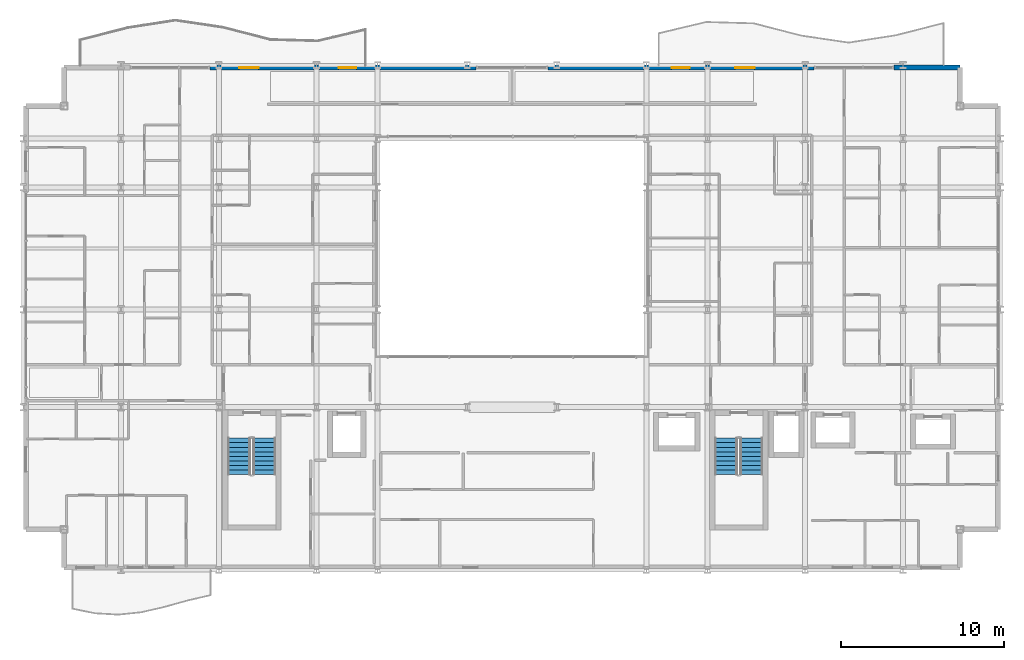
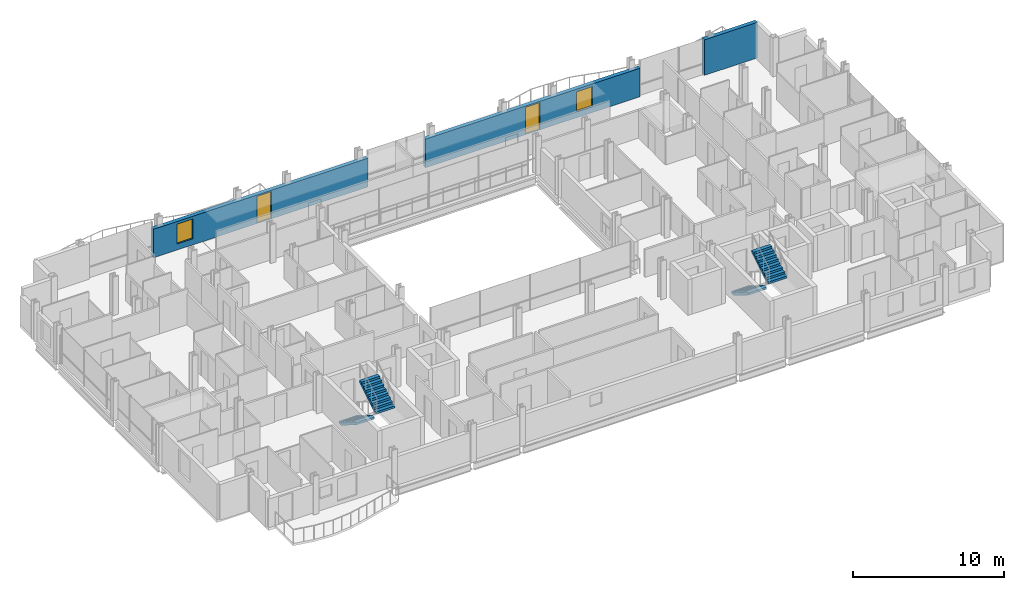
# One storey, part 37 of 41: 4 stair flights, 3 walls, 2 doors, 2 windows, 4 openings, 2 elements without a shape of their own.
"""IFC4 building model written with IfcOpenShell, lengths in metres."""

import ifcopenshell
import ifcopenshell.guid

model = None  # the IFC model being written
_history = None  # IfcOwnerHistory: only IFC2X3 demands one
_inside = {}  # id of a spatial element -> (the spatial element, [elements in it])
_under = {}  # id of a project, library or spatial element -> (it, [spatial elements below it])
_declared = {}  # id of a project -> (the project, [libraries it declares])
_typed = {}  # id of a type object -> (the type object, [elements of that type])
_made_of = {}  # id of a material, layer set ... -> (it, [elements and type objects made of it])


def new_model(schema):
    """Start an empty IFC model of exactly this schema.

    Asked for "IFC4X3", IfcOpenShell would pick the latest addendum, in which some entities
    have other attributes; the version numbers below select the first issue.
    IFC2X3 requires an IfcOwnerHistory on every rooted entity: one is made here for all.
    """
    global model, _history
    if schema == "IFC4X3":
        model = ifcopenshell.file(schema_version=(4, 3, 0, 0))
    else:
        model = ifcopenshell.file(schema=schema)
    _inside.clear()
    _under.clear()
    _declared.clear()
    _typed.clear()
    _made_of.clear()
    _history = None
    if model.schema == "IFC2X3":
        org = make("IfcOrganization", Name="unknown")
        user = make(
            "IfcPersonAndOrganization",
            ThePerson=make("IfcPerson", FamilyName="unknown"),
            TheOrganization=org,
        )
        app = make(
            "IfcApplication",
            ApplicationDeveloper=org,
            Version="unknown",
            ApplicationFullName="unknown",
            ApplicationIdentifier="unknown",
        )
        _history = make(
            "IfcOwnerHistory",
            OwningUser=user,
            OwningApplication=app,
            ChangeAction="ADDED",
            CreationDate=0,
        )
    return model


def make(cls, **values):
    """One entity of the class cls with the attributes given. An attribute that is None is left unset."""
    return model.create_entity(
        cls, **{name: value for name, value in values.items() if value is not None}
    )


def rooted(cls, **values):
    """An entity with a GlobalId (a new one), such as an element, a storey or a relation."""
    return make(cls, GlobalId=ifcopenshell.guid.new(), OwnerHistory=_history, **values)


def si_unit(unit_type, name, prefix=None):
    """IfcSIUnit, for example si_unit("LENGTHUNIT", "METRE", prefix="MILLI")."""
    return make("IfcSIUnit", UnitType=unit_type, Prefix=prefix, Name=name)


def assignment(units):
    """IfcUnitAssignment: the units of a project."""
    return None if units is None else make("IfcUnitAssignment", Units=units)


def point(xyz):
    """IfcCartesianPoint."""
    return None if xyz is None else make("IfcCartesianPoint", Coordinates=xyz)


def direction(xyz):
    """IfcDirection."""
    return None if xyz is None else make("IfcDirection", DirectionRatios=xyz)


def frame(location, z_axis=None, x_axis=None):
    """IfcAxis2Placement3D, a coordinate frame: its origin and axes. An axis left out is left unset."""
    return make(
        "IfcAxis2Placement3D",
        Location=point(location),
        Axis=direction(z_axis),
        RefDirection=direction(x_axis),
    )


def frame_2d(location, x_axis=None):
    """IfcAxis2Placement2D, a coordinate frame in the plane: its origin and x axis."""
    return make(
        "IfcAxis2Placement2D", Location=point(location), RefDirection=direction(x_axis)
    )


def origin():
    """The frame at (0, 0, 0) with its axes left unset."""
    return frame((0.0, 0.0, 0.0))


def place(relative_to, where):
    """IfcLocalPlacement: puts the frame where relative to a parent placement (None: the world)."""
    return make(
        "IfcLocalPlacement", PlacementRelTo=relative_to, RelativePlacement=where
    )


def context(
    kind, dimensions, precision=None, world=None, true_north=None, identifier=None
):
    """IfcGeometricRepresentationContext, for example the 3D "Model" context."""
    return make(
        "IfcGeometricRepresentationContext",
        ContextIdentifier=identifier,
        ContextType=kind,
        CoordinateSpaceDimension=dimensions,
        Precision=precision,
        WorldCoordinateSystem=world,
        TrueNorth=true_north,
    )


def subcontext(parent, identifier, kind, view, scale=None):
    """IfcGeometricRepresentationSubContext, for example "Body" below "Model"."""
    return make(
        "IfcGeometricRepresentationSubContext",
        ContextIdentifier=identifier,
        ContextType=kind,
        ParentContext=parent,
        TargetScale=scale,
        TargetView=view,
    )


def project(units=None, contexts=None):
    """IfcProject with its units and contexts."""
    return rooted(
        "IfcProject",
        Name="project",
        RepresentationContexts=contexts,
        UnitsInContext=assignment(units),
    )


def spatial(cls, under=None, at=None, **own):
    """A site, building, storey or space (cls), placed at a placement, below another one or the project."""
    s = rooted(cls, ObjectPlacement=at, **own)
    if under is not None:
        _under.setdefault(under.id(), (under, []))[1].append(s)
    return s


def polyline(points):
    """IfcPolyline through the points."""
    return make("IfcPolyline", Points=[point(p) for p in points])


def profile(cls, at=None, kind="AREA", **sizes):
    """A parametric profile (cls). Its sizes go by their IFC names, for example OverallWidth=200.0."""
    return make(cls, ProfileType=kind, Position=at, **sizes)


def rectangle(**sizes):
    """IfcRectangleProfileDef."""
    return profile("IfcRectangleProfileDef", **sizes)


def outline(outer, holes=None, kind="AREA"):
    """IfcArbitraryClosedProfileDef: a profile drawn as a closed curve; with holes, ...WithVoids."""
    if holes is None:
        return make("IfcArbitraryClosedProfileDef", ProfileType=kind, OuterCurve=outer)
    return make(
        "IfcArbitraryProfileDefWithVoids",
        ProfileType=kind,
        OuterCurve=outer,
        InnerCurves=holes,
    )


def extrude(swept, where, along, depth):
    """IfcExtrudedAreaSolid: the profile swept, set in the frame where, extruded along a direction by depth."""
    return make(
        "IfcExtrudedAreaSolid",
        SweptArea=swept,
        Position=where,
        ExtrudedDirection=direction(along),
        Depth=depth,
    )


def shape(context_of_items, identifier, shape_type, items):
    """IfcShapeRepresentation: the items that make up one representation, for example the "Body"."""
    return make(
        "IfcShapeRepresentation",
        ContextOfItems=context_of_items,
        RepresentationIdentifier=identifier,
        RepresentationType=shape_type,
        Items=items,
    )


def material(Name=None, Category=None):
    """IfcMaterial."""
    return make("IfcMaterial", Name=Name, Category=Category)


def layer(
    of_material, thickness, ventilated=None, Name=None, Category=None, Priority=None
):
    """IfcMaterialLayer: one layer of a wall or slab, of a material (None: an air gap)."""
    return make(
        "IfcMaterialLayer",
        Material=of_material,
        LayerThickness=thickness,
        IsVentilated=ventilated,
        Name=Name,
        Category=Category,
        Priority=Priority,
    )


def layer_set(layers, Name=None):
    """IfcMaterialLayerSet."""
    return make("IfcMaterialLayerSet", MaterialLayers=layers, LayerSetName=Name)


def made_of(thing, what):
    """Note that an element or type object is made of a material, layer set ...; save() writes the relation."""
    if what is not None:
        _made_of.setdefault(what.id(), (what, []))[1].append(thing)
    return thing


def type_object(cls, material=None, **own):
    """A type object (cls), such as IfcWallType, which elements share."""
    return made_of(rooted(cls, **own), material)


def element(
    cls,
    number,
    at=None,
    inside=None,
    cuts=None,
    type_object=None,
    material=None,
    context=None,
    identifier="Body",
    shape_type=None,
    held_by="IfcProductDefinitionShape",
    body=None,
    shapes=None,
    **own,
):
    """One element of the class cls, such as IfcWall. Its Tag is "e" and its number.

    at: its placement. inside: the storey or other place that contains it. cuts: it is an
    opening in that element (IfcRelVoidsElement). A single representation is given by context,
    identifier, shape_type and body (its items); several are given by shapes. held_by: the class
    of the entity that holds the representations. save() writes the other relations.
    """
    e = rooted(cls, Tag="e%d" % number, ObjectPlacement=at, **own)
    if body is not None:
        shapes = [shape(context, identifier, shape_type, body)]
    if shapes is not None:
        e.Representation = make(held_by, Representations=shapes)
    if inside is not None:
        _inside.setdefault(inside.id(), (inside, []))[1].append(e)
    if cuts is not None:
        rooted(
            "IfcRelVoidsElement", RelatingBuildingElement=cuts, RelatedOpeningElement=e
        )
    if type_object is not None:
        _typed.setdefault(type_object.id(), (type_object, []))[1].append(e)
    return made_of(e, material)


def fill(opening, filler):
    """IfcRelFillsElement: the door or window that sits in an opening."""
    return rooted(
        "IfcRelFillsElement",
        RelatingOpeningElement=opening,
        RelatedBuildingElement=filler,
    )


def aggregate(whole, parts):
    """IfcRelAggregates: a whole, such as a stair, and the parts it consists of."""
    return rooted("IfcRelAggregates", RelatingObject=whole, RelatedObjects=parts)


def save(model, path):
    """Write the relations noted so far, then the file.

    IfcRelAggregates (storeys below a building ...), IfcRelContainedInSpatialStructure (elements
    in a storey), IfcRelDefinesByType, IfcRelAssociatesMaterial and IfcRelDeclares: one each for
    every whole, place, type object, material and project.
    """
    for whole, parts in _under.values():
        aggregate(whole, parts)
    for where, things in _inside.values():
        rooted(
            "IfcRelContainedInSpatialStructure",
            RelatedElements=things,
            RelatingStructure=where,
        )
    for kind, things in _typed.values():
        rooted("IfcRelDefinesByType", RelatedObjects=things, RelatingType=kind)
    for what, things in _made_of.values():
        rooted("IfcRelAssociatesMaterial", RelatedObjects=things, RelatingMaterial=what)
    for by, libraries in _declared.values():
        rooted("IfcRelDeclares", RelatingContext=by, RelatedDefinitions=libraries)
    model.write(path)


model = new_model("IFC4")

# Units and contexts
model_context = context("Model", 3, precision=1e-05, world=origin(), true_north=direction((0.0, 1.0)))
body_context = subcontext(model_context, "Body", "Model", "MODEL_VIEW")
ifc_project = project(units=[si_unit("LENGTHUNIT", "METRE"), si_unit("AREAUNIT", "SQUARE_METRE"), si_unit("VOLUMEUNIT", "CUBIC_METRE"), si_unit("PLANEANGLEUNIT", "RADIAN"), si_unit("MASSUNIT", "GRAM", prefix="KILO")], contexts=[model_context])

# Site, building, storey
site_placement = place(None, origin())
site = spatial("IfcSite", under=ifc_project, at=site_placement, CompositionType="ELEMENT")
building_placement = place(site_placement, origin())
building = spatial("IfcBuilding", under=site, at=building_placement, Name="Brevholm Reach", CompositionType="ELEMENT")
storey_placement = place(building_placement, frame((0.0, 0.0, 43.5)))
storey = spatial("IfcBuildingStorey", under=building, at=storey_placement, Name="L11", CompositionType="ELEMENT", Elevation=43.5)

# Wall
ifc_material_1 = material(Name="Concrete C40/50", Category="concrete")
ifc_layer_1 = layer(ifc_material_1, 0.300048828125)
ifc_layer_set_1 = layer_set([ifc_layer_1], Name="Concrete C40/50")
wall_type = type_object("IfcWallType", Name="WAL-EXT-300", PredefinedType="STANDARD", material=ifc_layer_set_1)
wall_1_placement = place(storey_placement, frame((53.449951171875, 30.85009765625, 0.0), z_axis=(0.0, 0.0, 1.0), x_axis=(1.0, 0.0, 0.0)))
element("IfcWall", 1, at=wall_1_placement, inside=storey, type_object=wall_type, Name="L11 Facade Wall WAL-L11-NP-E0", PredefinedType="STANDARD", context=body_context, shape_type="SweptSolid", body=[
    extrude(rectangle(XDim=4.050048828125, YDim=0.300048828125, at=frame_2d((2.02490234375, 0.0))), origin(), (0.0, 0.0, 1.0), 2.8701171875),
])

# Wall, openings, door, window
wall_2_placement = place(storey_placement, frame((11.449951171875, 30.85009765625, 0.0), z_axis=(0.0, 0.0, 1.0), x_axis=(1.0, 0.0, 0.0)))
wall_2 = element("IfcWall", 2, at=wall_2_placement, inside=storey, type_object=wall_type, Name="L11 Facade Wall WAL-L11-NP-WL", PredefinedType="STANDARD", context=body_context, shape_type="SweptSolid", body=[
    extrude(rectangle(XDim=16.35009765625, YDim=0.300048828125, at=frame_2d((8.175048828125, 0.0))), origin(), (0.0, 0.0, 1.0), 2.305419921875),
])
opening_1_placement = place(wall_2_placement, frame((7.89794921875, 0.0, 0.0)))
opening_1 = element("IfcOpeningElement", 3, at=opening_1_placement, cuts=wall_2, Name="Opening BD-01", PredefinedType="OPENING", context=body_context, shape_type="SweptSolid", body=[
    extrude(rectangle(XDim=1.10009765625, YDim=2.199951171875, at=frame_2d((0.550048828125, 1.10009765625))), frame((0.0, 0.159912109375, 0.0), z_axis=(0.0, -1.0, 0.0), x_axis=(1.0, 0.0, 0.0)), (0.0, 0.0, 1.0), 0.320068359375),
])
opening_2_placement = place(wall_2_placement, frame((1.800048828125, 0.0, 0.486083984375)))
opening_2 = element("IfcOpeningElement", 4, at=opening_2_placement, cuts=wall_2, Name="Opening WN-08", PredefinedType="OPENING", context=body_context, shape_type="SweptSolid", body=[
    extrude(rectangle(XDim=1.199951171875, YDim=1.60009765625, at=frame_2d((0.60009765625, 0.800048828125))), frame((0.0, 0.159912109375, 0.0), z_axis=(0.0, -1.0, 0.0), x_axis=(1.0, 0.0, 0.0)), (0.0, 0.0, 1.0), 0.320068359375),
])
ifc_material_2 = material(Name="Dark Anodised Aluminium and Triple-Glazed Glass", Category="aluminium")
door_type = type_object("IfcDoorType", Name="DOR-BALC-1100", OperationType="NOTDEFINED", PredefinedType="DOOR", material=ifc_material_2)
door_1_placement = place(opening_1_placement, origin())
door_1 = element("IfcDoor", 5, at=door_1_placement, inside=storey, type_object=door_type, Name="L11 Exterior Door DOR-L11-BL-NW", OperationType="SINGLE_SWING_LEFT", OverallHeight=2.199951171875, OverallWidth=1.10009765625, PredefinedType="DOOR", context=body_context, shape_type="SweptSolid", body=[
    extrude(rectangle(XDim=1.10009765625, YDim=2.199951171875, at=frame_2d((0.550048828125, 1.10009765625))), frame((0.0, 0.02490234375, 0.0), z_axis=(0.0, -1.0, 0.0), x_axis=(1.0, 0.0, 0.0)), (0.0, 0.0, 1.0), 0.050048828125),
])
fill(opening_1, door_1)
ifc_material_3 = material(Name="Dark Anodised Aluminium and Solar-Control IGU Glass", Category="aluminium")
window_type = type_object("IfcWindowType", Name="WIN-RES-1200", PartitioningType="SINGLE_PANEL", PredefinedType="WINDOW", material=ifc_material_3)
window_1_placement = place(opening_2_placement, origin())
window_1 = element("IfcWindow", 6, at=window_1_placement, inside=storey, type_object=window_type, Name="L11 Window WIN-L11-NP-WL1", OverallHeight=1.60009765625, OverallWidth=1.199951171875, PartitioningType="SINGLE_PANEL", PredefinedType="WINDOW", context=body_context, shape_type="SweptSolid", body=[
    extrude(rectangle(XDim=1.199951171875, YDim=1.60009765625, at=frame_2d((0.60009765625, 0.800048828125))), frame((0.0, 0.030029296875, 0.0), z_axis=(0.0, -1.0, 0.0), x_axis=(1.0, 0.0, 0.0)), (0.0, 0.0, 1.0), 0.06005859375),
])
fill(opening_2, window_1)

wall_3_placement = place(storey_placement, frame((32.199951171875, 30.85009765625, 0.0), z_axis=(0.0, 0.0, 1.0), x_axis=(1.0, 0.0, 0.0)))
wall_3 = element("IfcWall", 7, at=wall_3_placement, inside=storey, type_object=wall_type, Name="L11 Facade Wall WAL-L11-NP-ER", PredefinedType="STANDARD", context=body_context, shape_type="SweptSolid", body=[
    extrude(rectangle(XDim=16.35009765625, YDim=0.300048828125, at=frame_2d((8.175048828125, 0.0))), origin(), (0.0, 0.0, 1.0), 2.305419921875),
])
opening_3_placement = place(wall_3_placement, frame((7.60009765625, 0.0, 0.0)))
opening_3 = element("IfcOpeningElement", 8, at=opening_3_placement, cuts=wall_3, Name="Opening BD-01", PredefinedType="OPENING", context=body_context, shape_type="SweptSolid", body=[
    extrude(rectangle(XDim=1.10009765625, YDim=2.199951171875, at=frame_2d((0.550048828125, 1.10009765625))), frame((0.0, 0.159912109375, 0.0), z_axis=(0.0, -1.0, 0.0), x_axis=(1.0, 0.0, 0.0)), (0.0, 0.0, 1.0), 0.320068359375),
])
opening_4_placement = place(wall_3_placement, frame((11.5, 0.0, 0.486083984375)))
opening_4 = element("IfcOpeningElement", 9, at=opening_4_placement, cuts=wall_3, Name="Opening WN-08", PredefinedType="OPENING", context=body_context, shape_type="SweptSolid", body=[
    extrude(rectangle(XDim=1.199951171875, YDim=1.60009765625, at=frame_2d((0.60009765625, 0.800048828125))), frame((0.0, 0.159912109375, 0.0), z_axis=(0.0, -1.0, 0.0), x_axis=(1.0, 0.0, 0.0)), (0.0, 0.0, 1.0), 0.320068359375),
])
door_2_placement = place(opening_3_placement, origin())
door_2 = element("IfcDoor", 10, at=door_2_placement, inside=storey, type_object=door_type, Name="L11 Exterior Door DOR-L11-BL-NE", OperationType="SINGLE_SWING_RIGHT", OverallHeight=2.199951171875, OverallWidth=1.10009765625, PredefinedType="DOOR", context=body_context, shape_type="SweptSolid", body=[
    extrude(rectangle(XDim=1.10009765625, YDim=2.199951171875, at=frame_2d((0.550048828125, 1.10009765625))), frame((0.0, 0.02490234375, 0.0), z_axis=(0.0, -1.0, 0.0), x_axis=(1.0, 0.0, 0.0)), (0.0, 0.0, 1.0), 0.050048828125),
])
fill(opening_3, door_2)
window_2_placement = place(opening_4_placement, origin())
window_2 = element("IfcWindow", 11, at=window_2_placement, inside=storey, type_object=window_type, Name="L11 Window WIN-L11-NP-ER1", OverallHeight=1.60009765625, OverallWidth=1.199951171875, PartitioningType="SINGLE_PANEL", PredefinedType="WINDOW", context=body_context, shape_type="SweptSolid", body=[
    extrude(rectangle(XDim=1.199951171875, YDim=1.60009765625, at=frame_2d((0.60009765625, 0.800048828125))), frame((0.0, 0.030029296875, 0.0), z_axis=(0.0, -1.0, 0.0), x_axis=(1.0, 0.0, 0.0)), (0.0, 0.0, 1.0), 0.06005859375),
])
fill(opening_4, window_2)

# Stair, stair flights
ifc_material_4 = material(Name="Precast Concrete C40/50", Category="concrete")
stair_type = type_object("IfcStairType", Name="STR-ESC-1400", PredefinedType="DOUBLE_RETURN_STAIR", material=ifc_material_4)
stair_1_placement = place(storey_placement, origin())
stair_1 = element("IfcStair", 12, at=stair_1_placement, inside=storey, type_object=stair_type, Name="L11 ST-1", PredefinedType="DOUBLE_RETURN_STAIR")
ifc_material_5 = material(Name="Precast Concrete C40/50", Category="concrete")
ifc_layer_2 = layer(ifc_material_5, 0.18505859375)
ifc_layer_set_2 = layer_set([ifc_layer_2], Name="Precast Concrete C40/50")
stair_flight_type = type_object("IfcStairFlightType", Name="STF-PRC-185", PredefinedType="STRAIGHT", material=ifc_layer_set_2)
stair_flight_1_placement = place(storey_placement, frame((13.25, 8.10009765625, 0.0), z_axis=(0.0, 0.0, 1.0), x_axis=(0.0, -1.0, 0.0)))
stair_flight_1 = element("IfcStairFlight", 13, at=stair_flight_1_placement, type_object=stair_flight_type, Name="ST-1 flight 1", NumberOfRisers=9, NumberOfTreads=8, PredefinedType="STRAIGHT", RiserHeight=0.172222222, TreadLength=0.28, context=body_context, shape_type="SweptSolid", body=[
    extrude(outline(polyline([(0.0, 0.0), (0.0, 0.172119140625), (0.280029296875, 0.172119140625), (0.280029296875, 0.344482421875), (0.56005859375, 0.344482421875), (0.56005859375, 0.5166015625), (0.840087890625, 0.5166015625), (0.840087890625, 0.68896484375), (1.1201171875, 0.68896484375), (1.1201171875, 0.861083984375), (1.39990234375, 0.861083984375), (1.39990234375, 1.033447265625), (1.679931640625, 1.033447265625), (1.679931640625, 1.20556640625), (1.9599609375, 1.20556640625), (1.9599609375, 1.377685546875), (2.239990234375, 1.377685546875), (2.239990234375, 1.550048828125), (2.239990234375, 1.201904296875), (0.2861328125, 0.0), (0.0, 0.0)])), frame((0.0, 0.699951171875, 0.0), z_axis=(0.0, -1.0, 0.0), x_axis=(1.0, 0.0, 0.0)), (0.0, 0.0, 1.0), 1.39990234375),
])
stair_flight_2_placement = place(storey_placement, frame((14.800048828125, 5.860107421875, 1.550048828125), z_axis=(0.0, 0.0, 1.0), x_axis=(0.0, 1.0, 0.0)))
stair_flight_2 = element("IfcStairFlight", 14, at=stair_flight_2_placement, type_object=stair_flight_type, Name="ST-1 flight 2", NumberOfRisers=9, NumberOfTreads=8, PredefinedType="STRAIGHT", RiserHeight=0.172222222, TreadLength=0.28, context=body_context, shape_type="SweptSolid", body=[
    extrude(outline(polyline([(0.0, 0.0), (0.0, 0.172119140625), (0.280029296875, 0.172119140625), (0.280029296875, 0.344482421875), (0.56005859375, 0.344482421875), (0.56005859375, 0.5166015625), (0.840087890625, 0.5166015625), (0.840087890625, 0.68896484375), (1.1201171875, 0.68896484375), (1.1201171875, 0.861083984375), (1.39990234375, 0.861083984375), (1.39990234375, 1.033447265625), (1.679931640625, 1.033447265625), (1.679931640625, 1.20556640625), (1.9599609375, 1.20556640625), (1.9599609375, 1.377685546875), (2.239990234375, 1.377685546875), (2.239990234375, 1.550048828125), (2.239990234375, 1.201904296875), (0.2861328125, 0.0), (0.0, 0.0)])), frame((0.0, 0.699951171875, 0.0), z_axis=(0.0, -1.0, 0.0), x_axis=(1.0, 0.0, 0.0)), (0.0, 0.0, 1.0), 1.39990234375),
])
aggregate(stair_1, [stair_flight_1, stair_flight_2])

stair_2_placement = place(storey_placement, origin())
stair_2 = element("IfcStair", 15, at=stair_2_placement, inside=storey, type_object=stair_type, Name="L11 ST-2", PredefinedType="DOUBLE_RETURN_STAIR")
stair_flight_3_placement = place(storey_placement, frame((43.14990234375, 8.10009765625, 0.0), z_axis=(0.0, 0.0, 1.0), x_axis=(0.0, -1.0, 0.0)))
stair_flight_3 = element("IfcStairFlight", 16, at=stair_flight_3_placement, type_object=stair_flight_type, Name="ST-2 flight 1", NumberOfRisers=9, NumberOfTreads=8, PredefinedType="STRAIGHT", RiserHeight=0.172222222, TreadLength=0.28, context=body_context, shape_type="SweptSolid", body=[
    extrude(outline(polyline([(0.0, 0.0), (0.0, 0.172119140625), (0.280029296875, 0.172119140625), (0.280029296875, 0.344482421875), (0.56005859375, 0.344482421875), (0.56005859375, 0.5166015625), (0.840087890625, 0.5166015625), (0.840087890625, 0.68896484375), (1.1201171875, 0.68896484375), (1.1201171875, 0.861083984375), (1.39990234375, 0.861083984375), (1.39990234375, 1.033447265625), (1.679931640625, 1.033447265625), (1.679931640625, 1.20556640625), (1.9599609375, 1.20556640625), (1.9599609375, 1.377685546875), (2.239990234375, 1.377685546875), (2.239990234375, 1.550048828125), (2.239990234375, 1.201904296875), (0.2861328125, 0.0), (0.0, 0.0)])), frame((0.0, 0.699951171875, 0.0), z_axis=(0.0, -1.0, 0.0), x_axis=(1.0, 0.0, 0.0)), (0.0, 0.0, 1.0), 1.39990234375),
])
stair_flight_4_placement = place(storey_placement, frame((44.699951171875, 5.860107421875, 1.550048828125), z_axis=(0.0, 0.0, 1.0), x_axis=(0.0, 1.0, 0.0)))
stair_flight_4 = element("IfcStairFlight", 17, at=stair_flight_4_placement, type_object=stair_flight_type, Name="ST-2 flight 2", NumberOfRisers=9, NumberOfTreads=8, PredefinedType="STRAIGHT", RiserHeight=0.172222222, TreadLength=0.28, context=body_context, shape_type="SweptSolid", body=[
    extrude(outline(polyline([(0.0, 0.0), (0.0, 0.172119140625), (0.280029296875, 0.172119140625), (0.280029296875, 0.344482421875), (0.56005859375, 0.344482421875), (0.56005859375, 0.5166015625), (0.840087890625, 0.5166015625), (0.840087890625, 0.68896484375), (1.1201171875, 0.68896484375), (1.1201171875, 0.861083984375), (1.39990234375, 0.861083984375), (1.39990234375, 1.033447265625), (1.679931640625, 1.033447265625), (1.679931640625, 1.20556640625), (1.9599609375, 1.20556640625), (1.9599609375, 1.377685546875), (2.239990234375, 1.377685546875), (2.239990234375, 1.550048828125), (2.239990234375, 1.201904296875), (0.2861328125, 0.0), (0.0, 0.0)])), frame((0.0, 0.699951171875, 0.0), z_axis=(0.0, -1.0, 0.0), x_axis=(1.0, 0.0, 0.0)), (0.0, 0.0, 1.0), 1.39990234375),
])
aggregate(stair_2, [stair_flight_3, stair_flight_4])

save(model, "model.ifc")
